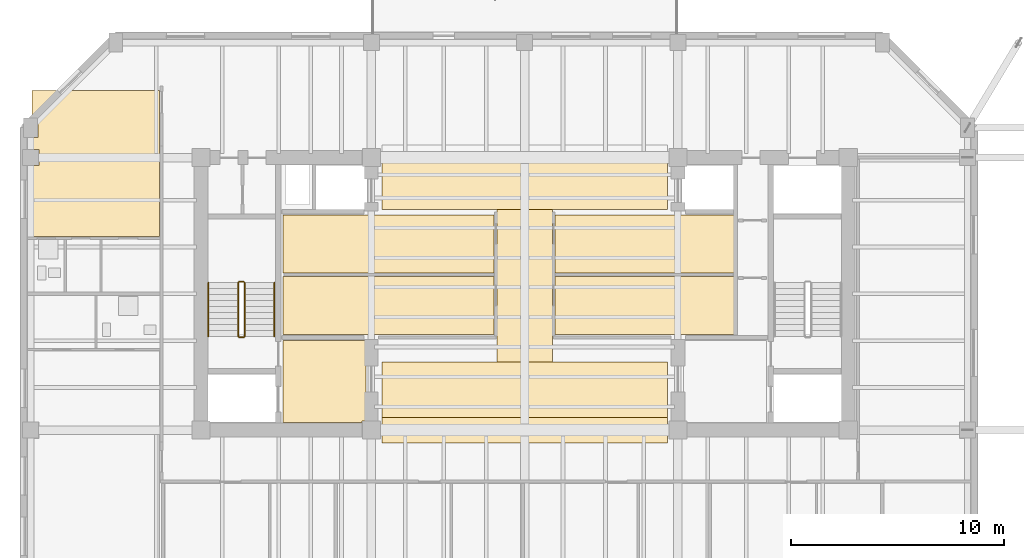
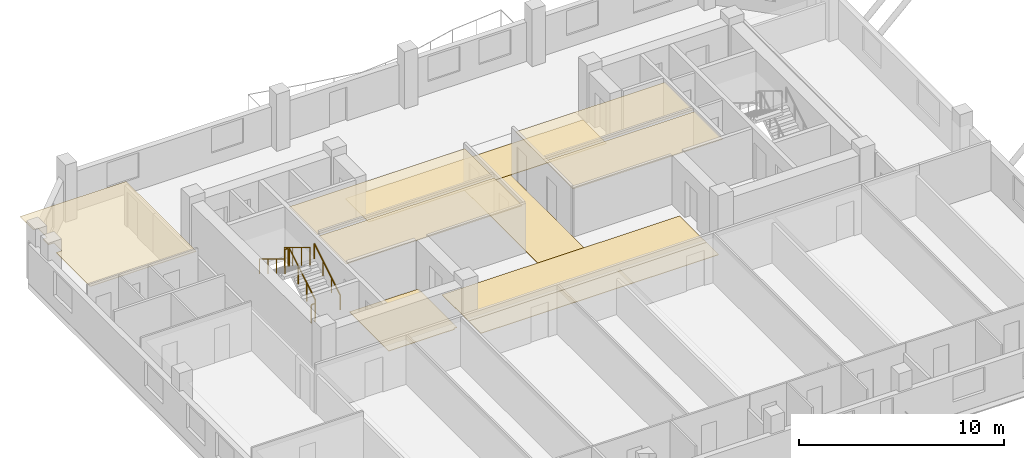
# One storey, part 9 of 12: 10 coverings, 6 railings.
"""IFC4 building model written with IfcOpenShell, lengths in metres."""

from ifc_helpers import new_model, si_unit, direction, frame, origin, origin_2d, place, context, subcontext, project, spatial, polyline, circle, outline, extrude, material, layer, layer_set, type_object, element, save


model = new_model("IFC4")

# Units and contexts
model_context = context("Model", 3, precision=1e-05, world=origin(), true_north=direction((0.0, 1.0)))
body_context = subcontext(model_context, "Body", "Model", "MODEL_VIEW")
ifc_project = project(units=[si_unit("LENGTHUNIT", "METRE"), si_unit("AREAUNIT", "SQUARE_METRE"), si_unit("VOLUMEUNIT", "CUBIC_METRE"), si_unit("PLANEANGLEUNIT", "RADIAN"), si_unit("MASSUNIT", "GRAM", prefix="KILO")], contexts=[model_context])

# Site, building, storey
site_placement = place(None, origin())
site = spatial("IfcSite", under=ifc_project, at=site_placement, CompositionType="ELEMENT")
building_placement = place(site_placement, origin())
building = spatial("IfcBuilding", under=site, at=building_placement, Name="Kranthara Brick Stack", CompositionType="ELEMENT")
storey_placement = place(building_placement, frame((0.0, 0.0, 224.5)))
storey = spatial("IfcBuildingStorey", under=building, at=storey_placement, Name="L58", CompositionType="ELEMENT", Elevation=224.5)

# Coverings
ifc_material_1 = material(Name="Perforated mineral-fibre acoustic ceiling tile", Category="other")
ifc_layer_1 = layer(ifc_material_1, 0.02490234375)
ifc_layer_set_1 = layer_set([ifc_layer_1], Name="Perforated mineral-fibre acoustic ceiling tile")
covering_type_1 = type_object("IfcCoveringType", Name="COV-CEIL-ACOUSTIC", PredefinedType="CEILING", material=ifc_layer_set_1)
covering_1_placement = place(storey_placement, frame((0.0, 0.0, 2.679931640625)))
element("IfcCovering", 1, at=covering_1_placement, inside=storey, type_object=covering_type_1, Name="L58 L58 Sky Club Study Room Acoustic Ceiling", PredefinedType="CEILING", context=body_context, shape_type="SweptSolid", body=[
    extrude(outline(polyline([(26.570068359375, 25.300048828125), (26.570068359375, 28.02001953125), (16.64990234375, 28.02001953125), (16.64990234375, 25.300048828125), (26.570068359375, 25.300048828125)])), origin(), (0.0, 0.0, 1.0), 0.025146484375),
])
covering_2_placement = place(storey_placement, frame((0.0, 0.0, 2.679931640625)))
element("IfcCovering", 2, at=covering_2_placement, inside=storey, type_object=covering_type_1, Name="L58 L58 Sky Club Media Salon Acoustic Ceiling", PredefinedType="CEILING", context=body_context, shape_type="SweptSolid", body=[
    extrude(outline(polyline([(26.570068359375, 28.179931640625), (26.570068359375, 30.89990234375), (16.64990234375, 30.89990234375), (16.64990234375, 28.179931640625), (26.570068359375, 28.179931640625)])), origin(), (0.0, 0.0, 1.0), 0.025146484375),
])
covering_3_placement = place(storey_placement, frame((0.0, 0.0, 2.679931640625)))
element("IfcCovering", 3, at=covering_3_placement, inside=storey, type_object=covering_type_1, Name="L58 L58 Sky Club Tea Room Acoustic Ceiling", PredefinedType="CEILING", context=body_context, shape_type="SweptSolid", body=[
    extrude(outline(polyline([(37.8798828125, 25.300048828125), (37.8798828125, 28.02001953125), (29.429931640625, 28.02001953125), (29.429931640625, 25.300048828125), (37.8798828125, 25.300048828125)])), origin(), (0.0, 0.0, 1.0), 0.025146484375),
])
covering_4_placement = place(storey_placement, frame((0.0, 0.0, 2.679931640625)))
element("IfcCovering", 4, at=covering_4_placement, inside=storey, type_object=covering_type_1, Name="L58 L58 Sky Club Private Dining Room Acoustic Ceiling", PredefinedType="CEILING", context=body_context, shape_type="SweptSolid", body=[
    extrude(outline(polyline([(37.8798828125, 28.179931640625), (37.8798828125, 30.89990234375), (29.429931640625, 30.89990234375), (29.429931640625, 28.179931640625), (37.8798828125, 28.179931640625)])), origin(), (0.0, 0.0, 1.0), 0.025146484375),
])
covering_5_placement = place(storey_placement, frame((0.0, 0.0, 2.679931640625)))
element("IfcCovering", 5, at=covering_5_placement, inside=storey, type_object=covering_type_1, Name="L58 Unit L58F 1-Bed Apartment Living Dining Acoustic Ceiling", PredefinedType="CEILING", context=body_context, shape_type="SweptSolid", body=[
    extrude(outline(polyline([(10.860107421875, 36.75), (10.860107421875, 29.889892578125), (4.8701171875, 29.889892578125), (4.8701171875, 33.215087890625), (5.18505859375, 33.215087890625), (5.18505859375, 33.985107421875), (4.8701171875, 33.985107421875), (4.8701171875, 34.5400390625), (5.135009765625, 34.5400390625), (5.135009765625, 35.4599609375), (4.8701171875, 35.4599609375), (4.8701171875, 36.75), (10.860107421875, 36.75)])), origin(), (0.0, 0.0, 1.0), 0.025146484375),
])
ifc_material_2 = material(Name="Honed terrazzo and porcelain floor finish", Category="stone")
ifc_layer_2 = layer(ifc_material_2, 0.030029296875)
ifc_layer_set_2 = layer_set([ifc_layer_2], Name="Honed terrazzo and porcelain floor finish")
covering_type_2 = type_object("IfcCoveringType", Name="COV-FLOR-STONE", PredefinedType="FLOORING", material=ifc_layer_set_2)
covering_6_placement = place(storey_placement, origin())
element("IfcCovering", 6, at=covering_6_placement, inside=storey, type_object=covering_type_2, Name="L58 Lift Lobby Stone Flooring", PredefinedType="FLOORING", context=body_context, shape_type="SweptSolid", body=[
    extrude(outline(polyline([(16.64990234375, 21.14990234375), (16.64990234375, 25.0), (20.550048828125, 25.0), (20.550048828125, 21.235107421875), (20.364990234375, 21.235107421875), (20.364990234375, 21.14990234375), (16.64990234375, 21.14990234375)])), origin(), (0.0, 0.0, 1.0), 0.030029296875),
])
covering_7_placement = place(storey_placement, origin())
element("IfcCovering", 7, at=covering_7_placement, inside=storey, type_object=covering_type_2, Name="L58 Lift Lobby Stone Flooring", PredefinedType="FLOORING", context=body_context, shape_type="SweptSolid", body=[
    extrude(outline(polyline([(34.699951171875, 21.39990234375), (34.699951171875, 24.0), (21.300048828125, 24.0), (21.300048828125, 21.39990234375), (34.699951171875, 21.39990234375)])), origin(), (0.0, 0.0, 1.0), 0.030029296875),
])
covering_8_placement = place(storey_placement, origin())
element("IfcCovering", 8, at=covering_8_placement, inside=storey, type_object=covering_type_2, Name="L58 Lift Lobby Stone Flooring", PredefinedType="FLOORING", context=body_context, shape_type="SweptSolid", body=[
    extrude(outline(polyline([(34.699951171875, 31.14990234375), (34.699951171875, 33.449951171875), (21.300048828125, 33.449951171875), (21.300048828125, 31.14990234375), (34.699951171875, 31.14990234375)])), origin(), (0.0, 0.0, 1.0), 0.030029296875),
])
covering_9_placement = place(storey_placement, origin())
element("IfcCovering", 9, at=covering_9_placement, inside=storey, type_object=covering_type_2, Name="L58 Lift Lobby Stone Flooring", PredefinedType="FLOORING", context=body_context, shape_type="SweptSolid", body=[
    extrude(outline(polyline([(29.300048828125, 24.0), (26.699951171875, 24.0), (26.699951171875, 31.14990234375), (29.300048828125, 31.14990234375), (29.300048828125, 24.0)])), origin(), (0.0, 0.0, 1.0), 0.030029296875),
])
covering_10_placement = place(storey_placement, origin())
element("IfcCovering", 10, at=covering_10_placement, inside=storey, type_object=covering_type_2, Name="L58 Lift Lobby Stone Flooring", PredefinedType="FLOORING", context=body_context, shape_type="SweptSolid", body=[
    extrude(outline(polyline([(34.699951171875, 20.199951171875), (21.300048828125, 20.199951171875), (21.300048828125, 21.39990234375), (34.699951171875, 21.39990234375), (34.699951171875, 20.199951171875)])), origin(), (0.0, 0.0, 1.0), 0.030029296875),
])

# Railings
ifc_material_3 = material(Name="Painted galvanized steel stair guardrail", Category="steel")
railing_type_1 = type_object("IfcRailingType", Name="RL-STAIR-GUARD-1100", PredefinedType="GUARDRAIL", material=ifc_material_3)
railing_1_placement = place(storey_placement, frame((14.85009765625, 25.199951171875, 0.169921875)))
element("IfcRailing", 11, at=railing_1_placement, inside=storey, type_object=railing_type_1, Name="L58 ST01 stair guard 1", PredefinedType="GUARDRAIL", context=body_context, shape_type="SweptSolid", body=[
    extrude(circle(Radius=0.02392578125, at=origin_2d()), frame((0.0, 0.0, 1.076171875), z_axis=(0.0, 0.85478489116, 0.518982456201), x_axis=(-1.0, 0.0, 0.0)), (0.0, 0.0, 1.0), 2.9482421875),
    extrude(circle(Radius=0.02099609375, at=origin_2d()), origin(), (0.0, 0.0, 1.0), 1.052001953125),
    extrude(circle(Radius=0.02099609375, at=origin_2d()), frame((0.0, 0.840087890625, 0.510009765625)), (0.0, 0.0, 1.0), 1.052001953125),
    extrude(circle(Radius=0.02099609375, at=origin_2d()), frame((0.0, 1.679931640625, 1.02001953125)), (0.0, 0.0, 1.0), 1.052001953125),
    extrude(circle(Radius=0.02099609375, at=origin_2d()), frame((0.0, 2.52001953125, 1.530029296875)), (0.0, 0.0, 1.0), 1.052001953125),
])
railing_2_placement = place(storey_placement, frame((14.800048828125, 27.77001953125, 1.699951171875)))
element("IfcRailing", 12, at=railing_2_placement, inside=storey, type_object=railing_type_1, Name="L58 ST01 stair guard 2", PredefinedType="GUARDRAIL", context=body_context, shape_type="SweptSolid", body=[
    extrude(circle(Radius=0.02392578125, at=origin_2d()), frame((0.0, 0.0, 1.076171875), z_axis=(-1.0, 0.0, 0.0), x_axis=(0.0, -1.0, 0.0)), (0.0, 0.0, 1.0), 0.199951171875),
    extrude(circle(Radius=0.02099609375, at=origin_2d()), origin(), (0.0, 0.0, 1.0), 1.052001953125),
    extrude(circle(Radius=0.02099609375, at=origin_2d()), frame((-0.199951171875, 0.0, 0.0)), (0.0, 0.0, 1.0), 1.052001953125),
])
railing_3_placement = place(storey_placement, frame((14.550048828125, 27.719970703125, 1.8701171875)))
element("IfcRailing", 13, at=railing_3_placement, inside=storey, type_object=railing_type_1, Name="L58 ST01 stair guard 3", PredefinedType="GUARDRAIL", context=body_context, shape_type="SweptSolid", body=[
    extrude(circle(Radius=0.02392578125, at=origin_2d()), frame((0.0, 0.0, 1.076171875), z_axis=(0.0, -0.854821627497, 0.518921945155), x_axis=(1.0, 0.0, 0.0)), (0.0, 0.0, 1.0), 2.947998046875),
    extrude(circle(Radius=0.02099609375, at=origin_2d()), origin(), (0.0, 0.0, 1.0), 1.052001953125),
    extrude(circle(Radius=0.02099609375, at=origin_2d()), frame((0.0, -0.840087890625, 0.510009765625)), (0.0, 0.0, 1.0), 1.052001953125),
    extrude(circle(Radius=0.02099609375, at=origin_2d()), frame((0.0, -1.679931640625, 1.019775390625)), (0.0, 0.0, 1.0), 1.052001953125),
    extrude(circle(Radius=0.02099609375, at=origin_2d()), frame((0.0, -2.52001953125, 1.52978515625)), (0.0, 0.0, 1.0), 1.052001953125),
])
railing_4_placement = place(storey_placement, frame((14.800048828125, 25.14990234375, 0.0)))
element("IfcRailing", 14, at=railing_4_placement, inside=storey, type_object=railing_type_1, Name="L58 ST01 stair guard 4", PredefinedType="GUARDRAIL", context=body_context, shape_type="SweptSolid", body=[
    extrude(circle(Radius=0.02392578125, at=origin_2d()), frame((0.0, 0.0, 1.076171875), z_axis=(-1.0, 0.0, 0.0), x_axis=(0.0, -1.0, 0.0)), (0.0, 0.0, 1.0), 0.199951171875),
    extrude(circle(Radius=0.02099609375, at=origin_2d()), origin(), (0.0, 0.0, 1.0), 1.052001953125),
    extrude(circle(Radius=0.02099609375, at=origin_2d()), frame((-0.199951171875, 0.0, 0.0)), (0.0, 0.0, 1.0), 1.052001953125),
])
ifc_material_4 = material(Name="Brushed stainless steel tubular handrail", Category="steel")
railing_type_2 = type_object("IfcRailingType", Name="RL-STAIR-HAND-900", PredefinedType="HANDRAIL", material=ifc_material_4)
railing_5_placement = place(storey_placement, frame((16.25, 25.199951171875, 0.169921875)))
element("IfcRailing", 15, at=railing_5_placement, inside=storey, type_object=railing_type_2, Name="L58 ST01 stair handrail 1", PredefinedType="HANDRAIL", context=body_context, shape_type="SweptSolid", body=[
    extrude(circle(Radius=0.02392578125, at=origin_2d()), frame((0.0, 0.0, 0.8759765625), z_axis=(0.0, 0.85478489116, 0.518982456201), x_axis=(-1.0, 0.0, 0.0)), (0.0, 0.0, 1.0), 2.9482421875),
    extrude(circle(Radius=0.02099609375, at=origin_2d()), origin(), (0.0, 0.0, 1.0), 0.851806640625),
    extrude(circle(Radius=0.02099609375, at=origin_2d()), frame((0.0, 0.840087890625, 0.510009765625)), (0.0, 0.0, 1.0), 0.851806640625),
    extrude(circle(Radius=0.02099609375, at=origin_2d()), frame((0.0, 1.679931640625, 1.02001953125)), (0.0, 0.0, 1.0), 0.851806640625),
    extrude(circle(Radius=0.02099609375, at=origin_2d()), frame((0.0, 2.52001953125, 1.530029296875)), (0.0, 0.0, 1.0), 0.851806640625),
])
railing_6_placement = place(storey_placement, frame((13.14990234375, 27.719970703125, 1.8701171875)))
element("IfcRailing", 16, at=railing_6_placement, inside=storey, type_object=railing_type_2, Name="L58 ST01 stair handrail 2", PredefinedType="HANDRAIL", context=body_context, shape_type="SweptSolid", body=[
    extrude(circle(Radius=0.02392578125, at=origin_2d()), frame((0.0, 0.0, 0.8759765625), z_axis=(0.0, -0.854821627497, 0.518921945155), x_axis=(1.0, 0.0, 0.0)), (0.0, 0.0, 1.0), 2.947998046875),
    extrude(circle(Radius=0.02099609375, at=origin_2d()), origin(), (0.0, 0.0, 1.0), 0.851806640625),
    extrude(circle(Radius=0.02099609375, at=origin_2d()), frame((0.0, -0.840087890625, 0.510009765625)), (0.0, 0.0, 1.0), 0.851806640625),
    extrude(circle(Radius=0.02099609375, at=origin_2d()), frame((0.0, -1.679931640625, 1.019775390625)), (0.0, 0.0, 1.0), 0.851806640625),
    extrude(circle(Radius=0.02099609375, at=origin_2d()), frame((0.0, -2.52001953125, 1.52978515625)), (0.0, 0.0, 1.0), 0.851806640625),
])

save(model, "model.ifc")
